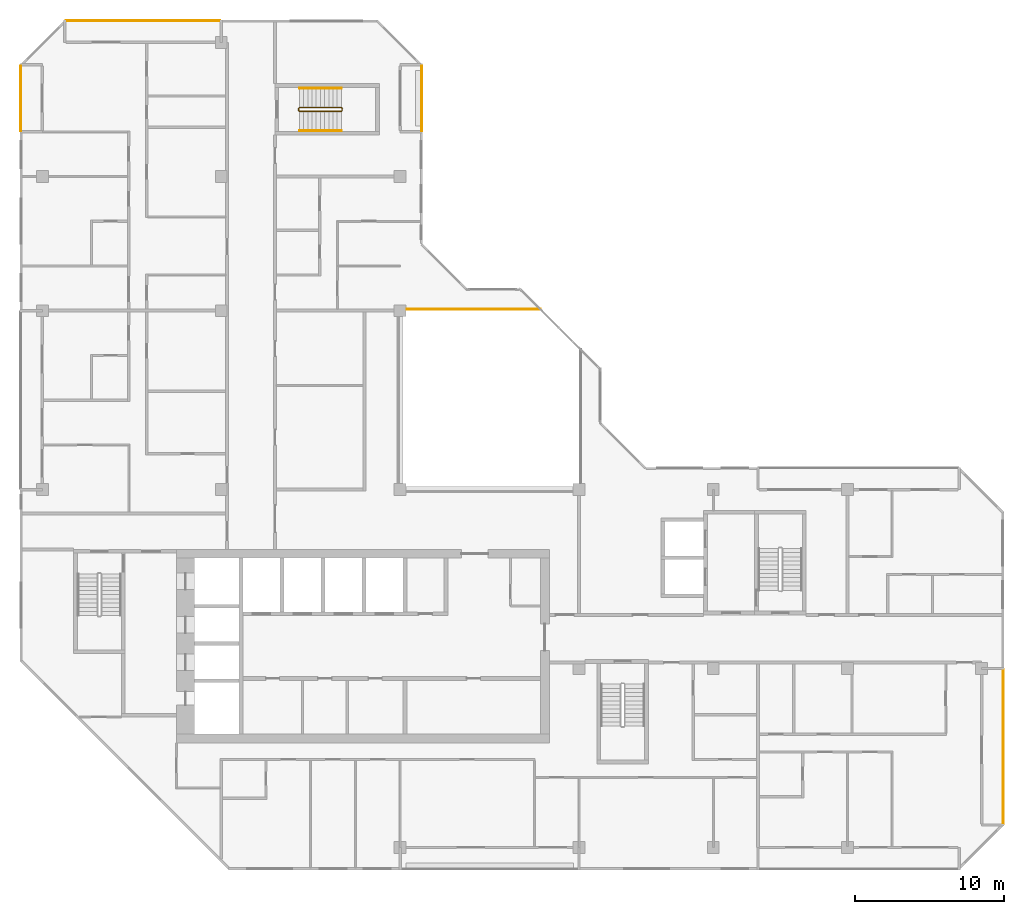
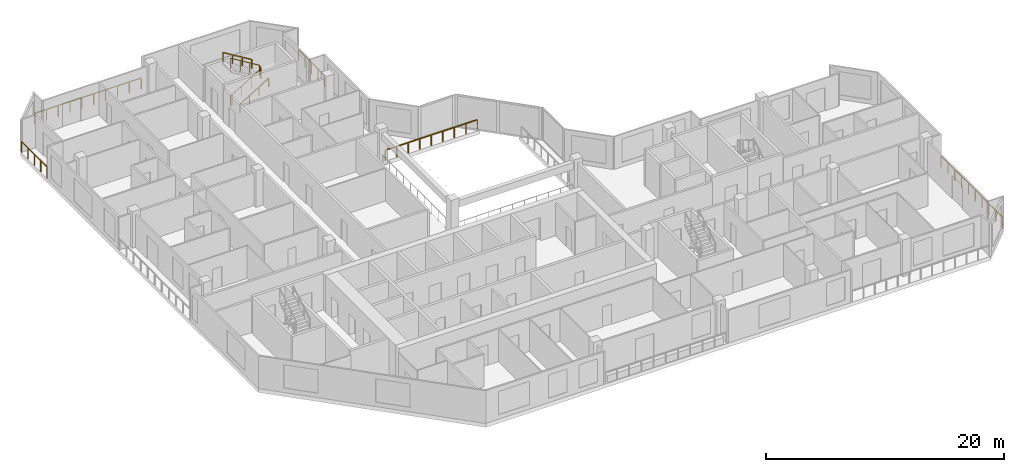
# One storey, part 13 of 13: 8 railings.
"""IFC4 building model written with IfcOpenShell, lengths in metres."""

import ifcopenshell
import ifcopenshell.guid

model = None  # the IFC model being written
_history = None  # IfcOwnerHistory: only IFC2X3 demands one
_inside = {}  # id of a spatial element -> (the spatial element, [elements in it])
_under = {}  # id of a project, library or spatial element -> (it, [spatial elements below it])
_declared = {}  # id of a project -> (the project, [libraries it declares])
_typed = {}  # id of a type object -> (the type object, [elements of that type])
_made_of = {}  # id of a material, layer set ... -> (it, [elements and type objects made of it])


def new_model(schema):
    """Start an empty IFC model of exactly this schema.

    Asked for "IFC4X3", IfcOpenShell would pick the latest addendum, in which some entities
    have other attributes; the version numbers below select the first issue.
    IFC2X3 requires an IfcOwnerHistory on every rooted entity: one is made here for all.
    """
    global model, _history
    if schema == "IFC4X3":
        model = ifcopenshell.file(schema_version=(4, 3, 0, 0))
    else:
        model = ifcopenshell.file(schema=schema)
    _inside.clear()
    _under.clear()
    _declared.clear()
    _typed.clear()
    _made_of.clear()
    _history = None
    if model.schema == "IFC2X3":
        org = make("IfcOrganization", Name="unknown")
        user = make(
            "IfcPersonAndOrganization",
            ThePerson=make("IfcPerson", FamilyName="unknown"),
            TheOrganization=org,
        )
        app = make(
            "IfcApplication",
            ApplicationDeveloper=org,
            Version="unknown",
            ApplicationFullName="unknown",
            ApplicationIdentifier="unknown",
        )
        _history = make(
            "IfcOwnerHistory",
            OwningUser=user,
            OwningApplication=app,
            ChangeAction="ADDED",
            CreationDate=0,
        )
    return model


def make(cls, **values):
    """One entity of the class cls with the attributes given. An attribute that is None is left unset."""
    return model.create_entity(
        cls, **{name: value for name, value in values.items() if value is not None}
    )


def rooted(cls, **values):
    """An entity with a GlobalId (a new one), such as an element, a storey or a relation."""
    return make(cls, GlobalId=ifcopenshell.guid.new(), OwnerHistory=_history, **values)


def si_unit(unit_type, name, prefix=None):
    """IfcSIUnit, for example si_unit("LENGTHUNIT", "METRE", prefix="MILLI")."""
    return make("IfcSIUnit", UnitType=unit_type, Prefix=prefix, Name=name)


def assignment(units):
    """IfcUnitAssignment: the units of a project."""
    return None if units is None else make("IfcUnitAssignment", Units=units)


def point(xyz):
    """IfcCartesianPoint."""
    return None if xyz is None else make("IfcCartesianPoint", Coordinates=xyz)


def direction(xyz):
    """IfcDirection."""
    return None if xyz is None else make("IfcDirection", DirectionRatios=xyz)


def frame(location, z_axis=None, x_axis=None):
    """IfcAxis2Placement3D, a coordinate frame: its origin and axes. An axis left out is left unset."""
    return make(
        "IfcAxis2Placement3D",
        Location=point(location),
        Axis=direction(z_axis),
        RefDirection=direction(x_axis),
    )


def frame_2d(location, x_axis=None):
    """IfcAxis2Placement2D, a coordinate frame in the plane: its origin and x axis."""
    return make(
        "IfcAxis2Placement2D", Location=point(location), RefDirection=direction(x_axis)
    )


def origin():
    """The frame at (0, 0, 0) with its axes left unset."""
    return frame((0.0, 0.0, 0.0))


def origin_2d():
    """The frame at (0, 0) in the plane with its x axis left unset."""
    return frame_2d((0.0, 0.0))


def place(relative_to, where):
    """IfcLocalPlacement: puts the frame where relative to a parent placement (None: the world)."""
    return make(
        "IfcLocalPlacement", PlacementRelTo=relative_to, RelativePlacement=where
    )


def context(
    kind, dimensions, precision=None, world=None, true_north=None, identifier=None
):
    """IfcGeometricRepresentationContext, for example the 3D "Model" context."""
    return make(
        "IfcGeometricRepresentationContext",
        ContextIdentifier=identifier,
        ContextType=kind,
        CoordinateSpaceDimension=dimensions,
        Precision=precision,
        WorldCoordinateSystem=world,
        TrueNorth=true_north,
    )


def subcontext(parent, identifier, kind, view, scale=None):
    """IfcGeometricRepresentationSubContext, for example "Body" below "Model"."""
    return make(
        "IfcGeometricRepresentationSubContext",
        ContextIdentifier=identifier,
        ContextType=kind,
        ParentContext=parent,
        TargetScale=scale,
        TargetView=view,
    )


def project(units=None, contexts=None):
    """IfcProject with its units and contexts."""
    return rooted(
        "IfcProject",
        Name="project",
        RepresentationContexts=contexts,
        UnitsInContext=assignment(units),
    )


def spatial(cls, under=None, at=None, **own):
    """A site, building, storey or space (cls), placed at a placement, below another one or the project."""
    s = rooted(cls, ObjectPlacement=at, **own)
    if under is not None:
        _under.setdefault(under.id(), (under, []))[1].append(s)
    return s


def profile(cls, at=None, kind="AREA", **sizes):
    """A parametric profile (cls). Its sizes go by their IFC names, for example OverallWidth=200.0."""
    return make(cls, ProfileType=kind, Position=at, **sizes)


def rectangle(**sizes):
    """IfcRectangleProfileDef."""
    return profile("IfcRectangleProfileDef", **sizes)


def extrude(swept, where, along, depth):
    """IfcExtrudedAreaSolid: the profile swept, set in the frame where, extruded along a direction by depth."""
    return make(
        "IfcExtrudedAreaSolid",
        SweptArea=swept,
        Position=where,
        ExtrudedDirection=direction(along),
        Depth=depth,
    )


def shape(context_of_items, identifier, shape_type, items):
    """IfcShapeRepresentation: the items that make up one representation, for example the "Body"."""
    return make(
        "IfcShapeRepresentation",
        ContextOfItems=context_of_items,
        RepresentationIdentifier=identifier,
        RepresentationType=shape_type,
        Items=items,
    )


def material(Name=None, Category=None):
    """IfcMaterial."""
    return make("IfcMaterial", Name=Name, Category=Category)


def made_of(thing, what):
    """Note that an element or type object is made of a material, layer set ...; save() writes the relation."""
    if what is not None:
        _made_of.setdefault(what.id(), (what, []))[1].append(thing)
    return thing


def type_object(cls, material=None, **own):
    """A type object (cls), such as IfcWallType, which elements share."""
    return made_of(rooted(cls, **own), material)


def element(
    cls,
    number,
    at=None,
    inside=None,
    cuts=None,
    type_object=None,
    material=None,
    context=None,
    identifier="Body",
    shape_type=None,
    held_by="IfcProductDefinitionShape",
    body=None,
    shapes=None,
    **own,
):
    """One element of the class cls, such as IfcWall. Its Tag is "e" and its number.

    at: its placement. inside: the storey or other place that contains it. cuts: it is an
    opening in that element (IfcRelVoidsElement). A single representation is given by context,
    identifier, shape_type and body (its items); several are given by shapes. held_by: the class
    of the entity that holds the representations. save() writes the other relations.
    """
    e = rooted(cls, Tag="e%d" % number, ObjectPlacement=at, **own)
    if body is not None:
        shapes = [shape(context, identifier, shape_type, body)]
    if shapes is not None:
        e.Representation = make(held_by, Representations=shapes)
    if inside is not None:
        _inside.setdefault(inside.id(), (inside, []))[1].append(e)
    if cuts is not None:
        rooted(
            "IfcRelVoidsElement", RelatingBuildingElement=cuts, RelatedOpeningElement=e
        )
    if type_object is not None:
        _typed.setdefault(type_object.id(), (type_object, []))[1].append(e)
    return made_of(e, material)


def aggregate(whole, parts):
    """IfcRelAggregates: a whole, such as a stair, and the parts it consists of."""
    return rooted("IfcRelAggregates", RelatingObject=whole, RelatedObjects=parts)


def save(model, path):
    """Write the relations noted so far, then the file.

    IfcRelAggregates (storeys below a building ...), IfcRelContainedInSpatialStructure (elements
    in a storey), IfcRelDefinesByType, IfcRelAssociatesMaterial and IfcRelDeclares: one each for
    every whole, place, type object, material and project.
    """
    for whole, parts in _under.values():
        aggregate(whole, parts)
    for where, things in _inside.values():
        rooted(
            "IfcRelContainedInSpatialStructure",
            RelatedElements=things,
            RelatingStructure=where,
        )
    for kind, things in _typed.values():
        rooted("IfcRelDefinesByType", RelatedObjects=things, RelatingType=kind)
    for what, things in _made_of.values():
        rooted("IfcRelAssociatesMaterial", RelatedObjects=things, RelatingMaterial=what)
    for by, libraries in _declared.values():
        rooted("IfcRelDeclares", RelatingContext=by, RelatedDefinitions=libraries)
    model.write(path)


model = new_model("IFC4")

# Units and contexts
model_context = context("Model", 3, precision=1e-05, world=origin(), true_north=direction((0.0, 1.0)))
body_context = subcontext(model_context, "Body", "Model", "MODEL_VIEW")
ifc_project = project(units=[si_unit("LENGTHUNIT", "METRE"), si_unit("AREAUNIT", "SQUARE_METRE"), si_unit("VOLUMEUNIT", "CUBIC_METRE"), si_unit("PLANEANGLEUNIT", "RADIAN"), si_unit("MASSUNIT", "GRAM", prefix="KILO")], contexts=[model_context])

# Site, building, storey
site_placement = place(None, origin())
site = spatial("IfcSite", under=ifc_project, at=site_placement, CompositionType="ELEMENT")
building_placement = place(site_placement, origin())
building = spatial("IfcBuilding", under=site, at=building_placement, Name="Chenar Terraces", CompositionType="ELEMENT")
storey_placement = place(building_placement, frame((0.0, 0.0, 307.14990234375)))
storey = spatial("IfcBuildingStorey", under=building, at=storey_placement, Name="L72", CompositionType="ELEMENT", Elevation=307.14990234375)

# Railings
ifc_material_1 = material(Name="Powder-coated steel", Category="steel")
railing_type_1 = type_object("IfcRailingType", Name="Guard 1100 steel rail with glass infill", PredefinedType="GUARDRAIL", material=ifc_material_1)
railing_1_placement = place(storey_placement, frame((24.449951171875, 36.10009765625, 0.0)))
element("IfcRailing", 1, at=railing_1_placement, inside=storey, type_object=railing_type_1, Name="Guard L72-2", PredefinedType="GUARDRAIL", context=body_context, shape_type="SweptSolid", body=[
    extrude(rectangle(XDim=0.06005859375, YDim=0.06005859375, at=origin_2d()), frame((0.0, 0.0, 1.070068359375), z_axis=(1.0, 0.0, 0.0), x_axis=(0.0, 1.0, 0.0)), (0.0, 0.0, 1.0), 8.949951171875),
    extrude(rectangle(XDim=0.050048828125, YDim=0.050048828125, at=origin_2d()), origin(), (0.0, 0.0, 1.0), 1.0400390625),
    extrude(rectangle(XDim=0.050048828125, YDim=0.050048828125, at=origin_2d()), frame((1.11865234375, 0.0, 0.0)), (0.0, 0.0, 1.0), 1.0400390625),
    extrude(rectangle(XDim=0.050048828125, YDim=0.050048828125, at=origin_2d()), frame((2.237548828125, 0.0, 0.0)), (0.0, 0.0, 1.0), 1.0400390625),
    extrude(rectangle(XDim=0.050048828125, YDim=0.050048828125, at=origin_2d()), frame((3.356201171875, 0.0, 0.0)), (0.0, 0.0, 1.0), 1.0400390625),
    extrude(rectangle(XDim=0.050048828125, YDim=0.050048828125, at=origin_2d()), frame((4.47509765625, 0.0, 0.0)), (0.0, 0.0, 1.0), 1.0400390625),
    extrude(rectangle(XDim=0.050048828125, YDim=0.050048828125, at=origin_2d()), frame((5.59375, 0.0, 0.0)), (0.0, 0.0, 1.0), 1.0400390625),
    extrude(rectangle(XDim=0.050048828125, YDim=0.050048828125, at=origin_2d()), frame((6.71240234375, 0.0, 0.0)), (0.0, 0.0, 1.0), 1.0400390625),
    extrude(rectangle(XDim=0.050048828125, YDim=0.050048828125, at=origin_2d()), frame((7.831298828125, 0.0, 0.0)), (0.0, 0.0, 1.0), 1.0400390625),
    extrude(rectangle(XDim=0.050048828125, YDim=0.050048828125, at=origin_2d()), frame((8.949951171875, 0.0, 0.0)), (0.0, 0.0, 1.0), 1.0400390625),
])
ifc_material_2 = material(Name="Stainless steel and glass", Category="steel")
railing_type_2 = type_object("IfcRailingType", Name="Loggia guard 1150", PredefinedType="GUARDRAIL", material=ifc_material_2)
railing_2_placement = place(storey_placement, frame((25.449951171875, 48.074951171875, 0.0)))
element("IfcRailing", 2, at=railing_2_placement, inside=storey, type_object=railing_type_2, Name="Loggia guard", PredefinedType="GUARDRAIL", context=body_context, shape_type="SweptSolid", body=[
    extrude(rectangle(XDim=0.048095703125, YDim=0.048095703125, at=origin_2d()), frame((0.0, 0.0, 1.1259765625), z_axis=(0.0, 1.0, 0.0), x_axis=(-1.0, 0.0, 0.0)), (0.0, 0.0, 1.0), 4.35009765625),
    extrude(rectangle(XDim=0.0419921875, YDim=0.0419921875, at=origin_2d()), origin(), (0.0, 0.0, 1.0), 1.101806640625),
    extrude(rectangle(XDim=0.0419921875, YDim=0.0419921875, at=origin_2d()), frame((0.0, 1.08740234375, 0.0)), (0.0, 0.0, 1.0), 1.101806640625),
    extrude(rectangle(XDim=0.0419921875, YDim=0.0419921875, at=origin_2d()), frame((0.0, 2.175048828125, 0.0)), (0.0, 0.0, 1.0), 1.101806640625),
    extrude(rectangle(XDim=0.0419921875, YDim=0.0419921875, at=origin_2d()), frame((0.0, 3.2626953125, 0.0)), (0.0, 0.0, 1.0), 1.101806640625),
    extrude(rectangle(XDim=0.0419921875, YDim=0.0419921875, at=origin_2d()), frame((0.0, 4.35009765625, 0.0)), (0.0, 0.0, 1.0), 1.101806640625),
])
railing_3_placement = place(storey_placement, frame((64.449951171875, 1.574951171875, 0.0)))
element("IfcRailing", 3, at=railing_3_placement, inside=storey, type_object=railing_type_2, Name="Loggia guard", PredefinedType="GUARDRAIL", context=body_context, shape_type="SweptSolid", body=[
    extrude(rectangle(XDim=0.048095703125, YDim=0.048095703125, at=origin_2d()), frame((0.0, 0.0, 1.1259765625), z_axis=(0.0, 1.0, 0.0), x_axis=(-1.0, 0.0, 0.0)), (0.0, 0.0, 1.0), 10.35009765625),
    extrude(rectangle(XDim=0.0419921875, YDim=0.0419921875, at=origin_2d()), origin(), (0.0, 0.0, 1.0), 1.101806640625),
    extrude(rectangle(XDim=0.0419921875, YDim=0.0419921875, at=origin_2d()), frame((0.0, 1.14990234375, 0.0)), (0.0, 0.0, 1.0), 1.101806640625),
    extrude(rectangle(XDim=0.0419921875, YDim=0.0419921875, at=origin_2d()), frame((0.0, 2.300048828125, 0.0)), (0.0, 0.0, 1.0), 1.101806640625),
    extrude(rectangle(XDim=0.0419921875, YDim=0.0419921875, at=origin_2d()), frame((0.0, 3.449951171875, 0.0)), (0.0, 0.0, 1.0), 1.101806640625),
    extrude(rectangle(XDim=0.0419921875, YDim=0.0419921875, at=origin_2d()), frame((0.0, 4.60009765625, 0.0)), (0.0, 0.0, 1.0), 1.101806640625),
    extrude(rectangle(XDim=0.0419921875, YDim=0.0419921875, at=origin_2d()), frame((0.0, 5.75, 0.0)), (0.0, 0.0, 1.0), 1.101806640625),
    extrude(rectangle(XDim=0.0419921875, YDim=0.0419921875, at=origin_2d()), frame((0.0, 6.900146484375, 0.0)), (0.0, 0.0, 1.0), 1.101806640625),
    extrude(rectangle(XDim=0.0419921875, YDim=0.0419921875, at=origin_2d()), frame((0.0, 8.050048828125, 0.0)), (0.0, 0.0, 1.0), 1.101806640625),
    extrude(rectangle(XDim=0.0419921875, YDim=0.0419921875, at=origin_2d()), frame((0.0, 9.2001953125, 0.0)), (0.0, 0.0, 1.0), 1.101806640625),
    extrude(rectangle(XDim=0.0419921875, YDim=0.0419921875, at=origin_2d()), frame((0.0, 10.35009765625, 0.0)), (0.0, 0.0, 1.0), 1.101806640625),
])
railing_4_placement = place(storey_placement, frame((11.925048828125, 55.449951171875, 0.0)))
element("IfcRailing", 4, at=railing_4_placement, inside=storey, type_object=railing_type_2, Name="Loggia guard", PredefinedType="GUARDRAIL", context=body_context, shape_type="SweptSolid", body=[
    extrude(rectangle(XDim=0.048095703125, YDim=0.048095703125, at=origin_2d()), frame((0.0, 0.0, 1.1259765625), z_axis=(-1.0, 0.0, 0.0), x_axis=(0.0, -1.0, 0.0)), (0.0, 0.0, 1.0), 10.35009765625),
    extrude(rectangle(XDim=0.0419921875, YDim=0.0419921875, at=origin_2d()), origin(), (0.0, 0.0, 1.0), 1.101806640625),
    extrude(rectangle(XDim=0.0419921875, YDim=0.0419921875, at=origin_2d()), frame((-1.14990234375, 0.0, 0.0)), (0.0, 0.0, 1.0), 1.101806640625),
    extrude(rectangle(XDim=0.0419921875, YDim=0.0419921875, at=origin_2d()), frame((-2.300048828125, 0.0, 0.0)), (0.0, 0.0, 1.0), 1.101806640625),
    extrude(rectangle(XDim=0.0419921875, YDim=0.0419921875, at=origin_2d()), frame((-3.449951171875, 0.0, 0.0)), (0.0, 0.0, 1.0), 1.101806640625),
    extrude(rectangle(XDim=0.0419921875, YDim=0.0419921875, at=origin_2d()), frame((-4.60009765625, 0.0, 0.0)), (0.0, 0.0, 1.0), 1.101806640625),
    extrude(rectangle(XDim=0.0419921875, YDim=0.0419921875, at=origin_2d()), frame((-5.75, 0.0, 0.0)), (0.0, 0.0, 1.0), 1.101806640625),
    extrude(rectangle(XDim=0.0419921875, YDim=0.0419921875, at=origin_2d()), frame((-6.900146484375, 0.0, 0.0)), (0.0, 0.0, 1.0), 1.101806640625),
    extrude(rectangle(XDim=0.0419921875, YDim=0.0419921875, at=origin_2d()), frame((-8.050048828125, 0.0, 0.0)), (0.0, 0.0, 1.0), 1.101806640625),
    extrude(rectangle(XDim=0.0419921875, YDim=0.0419921875, at=origin_2d()), frame((-9.2001953125, 0.0, 0.0)), (0.0, 0.0, 1.0), 1.101806640625),
    extrude(rectangle(XDim=0.0419921875, YDim=0.0419921875, at=origin_2d()), frame((-10.35009765625, 0.0, 0.0)), (0.0, 0.0, 1.0), 1.101806640625),
])
railing_5_placement = place(storey_placement, frame((-1.449951171875, 52.425048828125, 0.0)))
element("IfcRailing", 5, at=railing_5_placement, inside=storey, type_object=railing_type_2, Name="Loggia guard", PredefinedType="GUARDRAIL", context=body_context, shape_type="SweptSolid", body=[
    extrude(rectangle(XDim=0.048095703125, YDim=0.048095703125, at=origin_2d()), frame((0.0, 0.0, 1.1259765625), z_axis=(0.0, -1.0, 0.0), x_axis=(1.0, 0.0, 0.0)), (0.0, 0.0, 1.0), 4.35009765625),
    extrude(rectangle(XDim=0.0419921875, YDim=0.0419921875, at=origin_2d()), origin(), (0.0, 0.0, 1.0), 1.101806640625),
    extrude(rectangle(XDim=0.0419921875, YDim=0.0419921875, at=origin_2d()), frame((0.0, -1.08740234375, 0.0)), (0.0, 0.0, 1.0), 1.101806640625),
    extrude(rectangle(XDim=0.0419921875, YDim=0.0419921875, at=origin_2d()), frame((0.0, -2.175048828125, 0.0)), (0.0, 0.0, 1.0), 1.101806640625),
    extrude(rectangle(XDim=0.0419921875, YDim=0.0419921875, at=origin_2d()), frame((0.0, -3.2626953125, 0.0)), (0.0, 0.0, 1.0), 1.101806640625),
    extrude(rectangle(XDim=0.0419921875, YDim=0.0419921875, at=origin_2d()), frame((0.0, -4.35009765625, 0.0)), (0.0, 0.0, 1.0), 1.101806640625),
])
ifc_material_3 = material(Name="Powder-coated steel", Category="steel")
railing_type_3 = type_object("IfcRailingType", Name="Stair guard 1100", PredefinedType="GUARDRAIL", material=ifc_material_3)
railing_6_placement = place(storey_placement, frame((17.25, 49.625, 3.75)))
element("IfcRailing", 6, at=railing_6_placement, inside=storey, type_object=railing_type_3, Name="L72 ST4 stair guard 1", PredefinedType="GUARDRAIL", context=body_context, shape_type="SweptSolid", body=[
    extrude(rectangle(XDim=0.048095703125, YDim=0.048095703125, at=origin_2d()), frame((0.0, 0.0, 1.076171875), z_axis=(0.854202870247, 0.0, -0.519939858505), x_axis=(0.0, 1.0, 0.0)), (0.0, 0.0, 1.0), 3.278076171875),
    extrude(rectangle(XDim=0.048095703125, YDim=0.048095703125, at=origin_2d()), frame((2.800048828125, 0.0, -0.62841796875), z_axis=(0.270899902878, -0.270899902878, -0.923702595667), x_axis=(0.707106781187, 0.707106781187, 0.0)), (0.0, 0.0, 1.0), 0.184814453125),
    extrude(rectangle(XDim=0.048095703125, YDim=0.048095703125, at=origin_2d()), frame((2.85009765625, -0.050048828125, -0.798828125), z_axis=(0.0, -1.0, 0.0), x_axis=(1.0, 0.0, 0.0)), (0.0, 0.0, 1.0), 0.14990234375),
    extrude(rectangle(XDim=0.048095703125, YDim=0.048095703125, at=origin_2d()), frame((2.85009765625, -0.199951171875, -0.798828125), z_axis=(-0.707106781187, -0.707106781187, 0.0), x_axis=(0.707106781187, -0.707106781187, 0.0)), (0.0, 0.0, 1.0), 0.07080078125),
    extrude(rectangle(XDim=0.048095703125, YDim=0.048095703125, at=origin_2d()), frame((2.800048828125, -0.25, -0.798828125), z_axis=(-0.854202870247, 0.0, -0.519939858505), x_axis=(0.0, -1.0, 0.0)), (0.0, 0.0, 1.0), 3.278076171875),
    extrude(rectangle(XDim=0.048095703125, YDim=0.048095703125, at=origin_2d()), frame((0.0, -0.25, -2.50341796875), z_axis=(-0.270899902878, 0.270899902878, -0.923702595667), x_axis=(-0.707106781187, -0.707106781187, 0.0)), (0.0, 0.0, 1.0), 0.184814453125),
    extrude(rectangle(XDim=0.048095703125, YDim=0.048095703125, at=origin_2d()), frame((-0.050048828125, -0.199951171875, -2.673828125), z_axis=(0.0, 1.0, 0.0), x_axis=(-1.0, 0.0, 0.0)), (0.0, 0.0, 1.0), 0.14990234375),
    extrude(rectangle(XDim=0.0419921875, YDim=0.0419921875, at=origin_2d()), origin(), (0.0, 0.0, 1.0), 1.052001953125),
    extrude(rectangle(XDim=0.0419921875, YDim=0.0419921875, at=origin_2d()), frame((0.933349609375, 0.0, -0.568115234375)), (0.0, 0.0, 1.0), 1.052001953125),
    extrude(rectangle(XDim=0.0419921875, YDim=0.0419921875, at=origin_2d()), frame((1.86669921875, 0.0, -1.13623046875)), (0.0, 0.0, 1.0), 1.052001953125),
    extrude(rectangle(XDim=0.0419921875, YDim=0.0419921875, at=origin_2d()), frame((2.800048828125, 0.0, -1.704345703125)), (0.0, 0.0, 1.0), 1.052001953125),
    extrude(rectangle(XDim=0.0419921875, YDim=0.0419921875, at=origin_2d()), frame((2.85009765625, -0.050048828125, -1.875)), (0.0, 0.0, 1.0), 1.052001953125),
    extrude(rectangle(XDim=0.0419921875, YDim=0.0419921875, at=origin_2d()), frame((2.85009765625, -0.199951171875, -1.875)), (0.0, 0.0, 1.0), 1.052001953125),
    extrude(rectangle(XDim=0.0419921875, YDim=0.0419921875, at=origin_2d()), frame((2.800048828125, -0.25, -1.875)), (0.0, 0.0, 1.0), 1.052001953125),
    extrude(rectangle(XDim=0.0419921875, YDim=0.0419921875, at=origin_2d()), frame((1.86669921875, -0.25, -2.443115234375)), (0.0, 0.0, 1.0), 1.052001953125),
    extrude(rectangle(XDim=0.0419921875, YDim=0.0419921875, at=origin_2d()), frame((0.933349609375, -0.25, -3.01123046875)), (0.0, 0.0, 1.0), 1.052001953125),
    extrude(rectangle(XDim=0.0419921875, YDim=0.0419921875, at=origin_2d()), frame((0.0, -0.25, -3.579345703125)), (0.0, 0.0, 1.0), 1.052001953125),
    extrude(rectangle(XDim=0.0419921875, YDim=0.0419921875, at=origin_2d()), frame((-0.050048828125, -0.199951171875, -3.75)), (0.0, 0.0, 1.0), 1.052001953125),
    extrude(rectangle(XDim=0.0419921875, YDim=0.0419921875, at=origin_2d()), frame((-0.050048828125, -0.050048828125, -3.75)), (0.0, 0.0, 1.0), 1.052001953125),
])
ifc_material_4 = material(Name="Powder-coated steel", Category="steel")
railing_type_4 = type_object("IfcRailingType", Name="Stair handrail 900", PredefinedType="HANDRAIL", material=ifc_material_4)
railing_7_placement = place(storey_placement, frame((17.25, 48.074951171875, 0.170654296875)))
element("IfcRailing", 7, at=railing_7_placement, inside=storey, type_object=railing_type_4, Name="L72 ST4 stair handrail 1", PredefinedType="HANDRAIL", context=body_context, shape_type="SweptSolid", body=[
    extrude(rectangle(XDim=0.048095703125, YDim=0.048095703125, at=origin_2d()), frame((0.0, 0.0, 0.8759765625), z_axis=(0.854202870247, 0.0, 0.519939858505), x_axis=(0.0, 1.0, 0.0)), (0.0, 0.0, 1.0), 3.278076171875),
    extrude(rectangle(XDim=0.0419921875, YDim=0.0419921875, at=origin_2d()), origin(), (0.0, 0.0, 1.0), 0.851806640625),
    extrude(rectangle(XDim=0.0419921875, YDim=0.0419921875, at=origin_2d()), frame((0.933349609375, 0.0, 0.568115234375)), (0.0, 0.0, 1.0), 0.851806640625),
    extrude(rectangle(XDim=0.0419921875, YDim=0.0419921875, at=origin_2d()), frame((1.86669921875, 0.0, 1.13623046875)), (0.0, 0.0, 1.0), 0.851806640625),
    extrude(rectangle(XDim=0.0419921875, YDim=0.0419921875, at=origin_2d()), frame((2.800048828125, 0.0, 1.704345703125)), (0.0, 0.0, 1.0), 0.851806640625),
])
railing_8_placement = place(storey_placement, frame((20.050048828125, 50.925048828125, 2.045654296875)))
element("IfcRailing", 8, at=railing_8_placement, inside=storey, type_object=railing_type_4, Name="L72 ST4 stair handrail 2", PredefinedType="HANDRAIL", context=body_context, shape_type="SweptSolid", body=[
    extrude(rectangle(XDim=0.048095703125, YDim=0.048095703125, at=origin_2d()), frame((0.0, 0.0, 0.8759765625), z_axis=(-0.854202870247, 0.0, 0.519939858505), x_axis=(0.0, -1.0, 0.0)), (0.0, 0.0, 1.0), 3.278076171875),
    extrude(rectangle(XDim=0.0419921875, YDim=0.0419921875, at=origin_2d()), origin(), (0.0, 0.0, 1.0), 0.851806640625),
    extrude(rectangle(XDim=0.0419921875, YDim=0.0419921875, at=origin_2d()), frame((-0.933349609375, 0.0, 0.568115234375)), (0.0, 0.0, 1.0), 0.851806640625),
    extrude(rectangle(XDim=0.0419921875, YDim=0.0419921875, at=origin_2d()), frame((-1.86669921875, 0.0, 1.13623046875)), (0.0, 0.0, 1.0), 0.851806640625),
    extrude(rectangle(XDim=0.0419921875, YDim=0.0419921875, at=origin_2d()), frame((-2.800048828125, 0.0, 1.704345703125)), (0.0, 0.0, 1.0), 0.851806640625),
])

save(model, "model.ifc")
